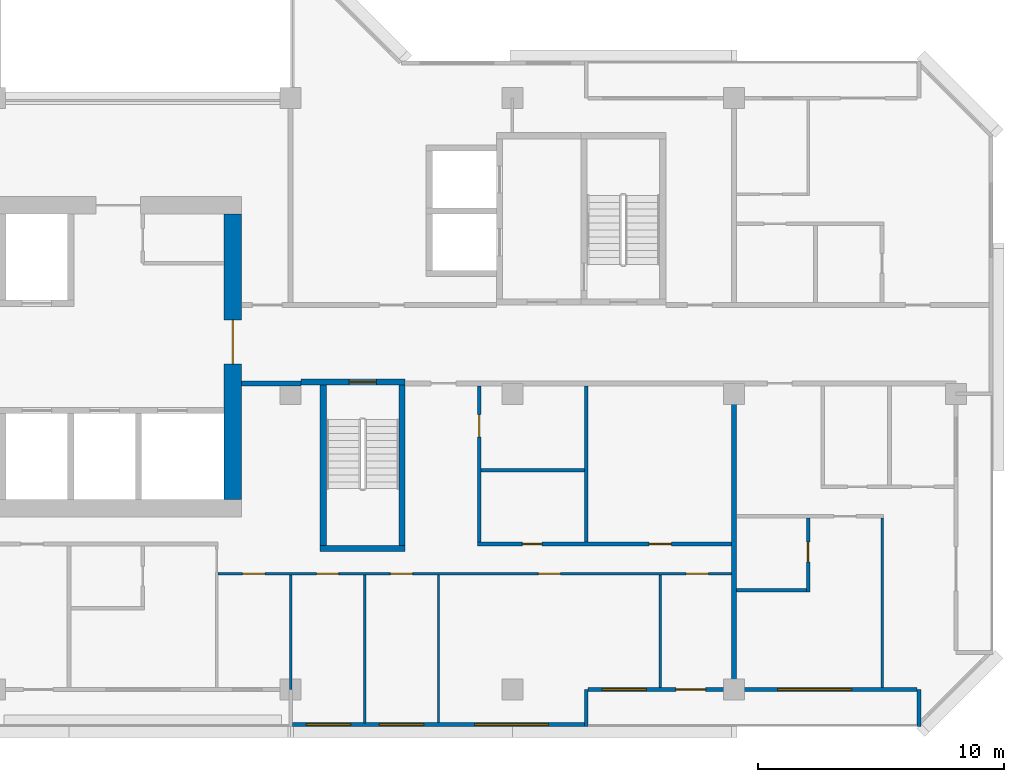
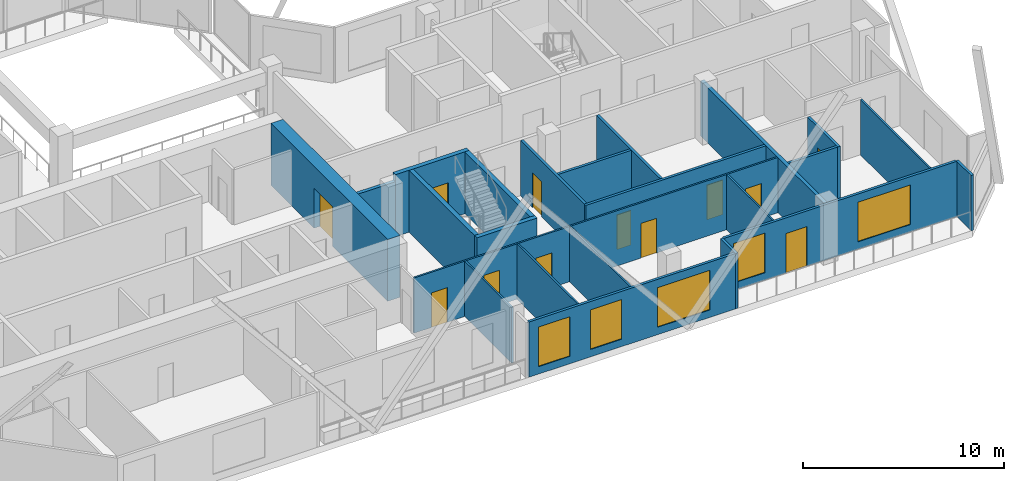
# One storey, part 6 of 14: 23 walls, 12 doors, 5 windows, 17 openings.
"""IFC4 building model written with IfcOpenShell, lengths in metres."""

from ifc_helpers import new_model, si_unit, direction, frame, frame_2d, origin, place, context, subcontext, project, spatial, rectangle, extrude, material, layer, layer_set, type_object, element, fill, save


model = new_model("IFC4")

# Units and contexts
model_context = context("Model", 3, precision=1e-05, world=origin(), true_north=direction((0.0, 1.0)))
body_context = subcontext(model_context, "Body", "Model", "MODEL_VIEW")
ifc_project = project(units=[si_unit("LENGTHUNIT", "METRE"), si_unit("AREAUNIT", "SQUARE_METRE"), si_unit("VOLUMEUNIT", "CUBIC_METRE"), si_unit("PLANEANGLEUNIT", "RADIAN"), si_unit("MASSUNIT", "GRAM", prefix="KILO")], contexts=[model_context])

# Site, building, storey
site_placement = place(None, origin())
site = spatial("IfcSite", under=ifc_project, at=site_placement, CompositionType="ELEMENT")
building_placement = place(site_placement, origin())
building = spatial("IfcBuilding", under=site, at=building_placement, Name="Chenar Terraces", CompositionType="ELEMENT")
storey_placement = place(building_placement, frame((0.0, 0.0, 234.14990234375)))
storey = spatial("IfcBuildingStorey", under=building, at=storey_placement, Name="L55", CompositionType="ELEMENT", Elevation=234.14990234375)

# Wall
ifc_material_1 = material(Name="Concrete C60/75", Category="concrete")
ifc_layer_1 = layer(ifc_material_1, 0.25)
ifc_layer_set_1 = layer_set([ifc_layer_1], Name="Concrete C60/75")
wall_type_1 = type_object("IfcWallType", Name="Core wall 250 Concrete C60/75", PredefinedType="SHEAR", material=ifc_layer_set_1)
wall_1_placement = place(storey_placement, frame((37.199951171875, 5.72509765625, 0.0), z_axis=(0.0, 0.0, 1.0), x_axis=(1.0, 0.0, 0.0)))
element("IfcWall", 1, at=wall_1_placement, inside=storey, type_object=wall_type_1, Name="Core wall ST2_S L55", PredefinedType="SHEAR", context=body_context, shape_type="SweptSolid", body=[
    extrude(rectangle(XDim=3.449951171875, YDim=0.25, at=frame_2d((1.72509765625, 0.0))), origin(), (0.0, 0.0, 1.0), 3.75),
])

# Wall, opening, door
wall_2_placement = place(storey_placement, frame((36.425048828125, 12.47509765625, 0.0), z_axis=(0.0, 0.0, 1.0), x_axis=(1.0, 0.0, 0.0)))
wall_2 = element("IfcWall", 2, at=wall_2_placement, inside=storey, type_object=wall_type_1, Name="Core wall ST2_N L55", PredefinedType="SHEAR", context=body_context, shape_type="SweptSolid", body=[
    extrude(rectangle(XDim=4.224853515625, YDim=0.25, at=frame_2d((2.1123046875, 0.0))), origin(), (0.0, 0.0, 1.0), 3.75),
])
opening_1_placement = place(wall_2_placement, frame((1.949951171875, 0.0, 0.0)))
opening_1 = element("IfcOpeningElement", 3, at=opening_1_placement, cuts=wall_2, Name="Opening DL55-C7", PredefinedType="OPENING", context=body_context, shape_type="SweptSolid", body=[
    extrude(rectangle(XDim=1.10009765625, YDim=2.199951171875, at=frame_2d((0.550048828125, 1.10009765625))), frame((0.0, 0.135009765625, 0.0), z_axis=(0.0, -1.0, 0.0), x_axis=(1.0, 0.0, 0.0)), (0.0, 0.0, 1.0), 0.27001953125),
])
ifc_material_2 = material(Name="Steel-framed fire-resisting door leaf", Category="steel")
door_type_1 = type_object("IfcDoorType", Name="Stair fire door FD60 1100 x 2200", OperationType="SINGLE_SWING_LEFT", PredefinedType="DOOR", material=ifc_material_2)
door_1_placement = place(opening_1_placement, frame((1.10009765625, 0.0, 0.0), z_axis=(0.0, 0.0, 1.0), x_axis=(-1.0, 0.0, 0.0)))
door_1 = element("IfcDoor", 4, at=door_1_placement, inside=storey, type_object=door_type_1, Name="Stair door DL55-C7", OperationType="SINGLE_SWING_LEFT", OverallHeight=2.199951171875, OverallWidth=1.10009765625, PredefinedType="DOOR", context=body_context, shape_type="SweptSolid", body=[
    extrude(rectangle(XDim=1.10009765625, YDim=2.199951171875, at=frame_2d((0.550048828125, 1.10009765625))), frame((0.0, 0.02490234375, 0.0), z_axis=(0.0, -1.0, 0.0), x_axis=(1.0, 0.0, 0.0)), (0.0, 0.0, 1.0), 0.050048828125),
])
fill(opening_1, door_1)

# Walls
for number, where, z_axis, x_axis, name in (
    (5, (37.324951171875, 5.85009765625, 0.0), (0.0, 0.0, 1.0), (0.0, 1.0, 0.0), "Core wall ST2_W L55"),
    (6, (40.52490234375, 5.85009765625, 0.0), (0.0, 0.0, 1.0), (0.0, 1.0, 0.0), "Core wall ST2_E L55"),
):
    element("IfcWall", number, at=place(storey_placement, frame(where, z_axis=z_axis, x_axis=x_axis)), inside=storey, type_object=wall_type_1, Name=name, PredefinedType="SHEAR", context=body_context, shape_type="SweptSolid", body=[
        extrude(rectangle(XDim=6.5, YDim=0.25, at=frame_2d((3.25, 0.0))), origin(), (0.0, 0.0, 1.0), 3.75),
    ])

# Wall, opening, door
ifc_material_3 = material(Name="Concrete C60/75", Category="concrete")
ifc_layer_2 = layer(ifc_material_3, 0.699951171875)
ifc_layer_set_2 = layer_set([ifc_layer_2], Name="Concrete C60/75")
wall_type_2 = type_object("IfcWallType", Name="Core wall 700 Concrete C60/75", PredefinedType="SHEAR", material=ifc_layer_set_2)
wall_3_placement = place(storey_placement, frame((33.64990234375, 7.699951171875, 0.0), z_axis=(0.0, 0.0, 1.0), x_axis=(0.0, 1.0, 0.0)))
wall_3 = element("IfcWall", 7, at=wall_3_placement, inside=storey, type_object=wall_type_2, Name="Core wall E L55", PredefinedType="SHEAR", context=body_context, shape_type="SweptSolid", body=[
    extrude(rectangle(XDim=11.60009765625, YDim=0.699951171875, at=frame_2d((5.800048828125, 0.0))), origin(), (0.0, 0.0, 1.0), 3.75),
])
opening_2_placement = place(wall_3_placement, frame((5.5, 0.0, 0.0)))
opening_2 = element("IfcOpeningElement", 8, at=opening_2_placement, cuts=wall_3, Name="Opening DL55-C1", PredefinedType="OPENING", context=body_context, shape_type="SweptSolid", body=[
    extrude(rectangle(XDim=1.800048828125, YDim=2.39990234375, at=frame_2d((0.89990234375, 1.199951171875))), frame((0.0, 0.35986328125, 0.0), z_axis=(0.0, -1.0, 0.0), x_axis=(1.0, 0.0, 0.0)), (0.0, 0.0, 1.0), 0.719970703125),
])
ifc_material_4 = material(Name="Steel-framed fire-resisting door leaf", Category="steel")
door_type_2 = type_object("IfcDoorType", Name="Core entrance double fire door FD60 1800 x 2400", OperationType="DOUBLE_DOOR_SINGLE_SWING", PredefinedType="DOOR", material=ifc_material_4)
door_2_placement = place(opening_2_placement, origin())
door_2 = element("IfcDoor", 9, at=door_2_placement, inside=storey, type_object=door_type_2, Name="Core door DL55-C1", OperationType="DOUBLE_DOOR_SINGLE_SWING", OverallHeight=2.39990234375, OverallWidth=1.800048828125, PredefinedType="DOOR", context=body_context, shape_type="SweptSolid", body=[
    extrude(rectangle(XDim=1.800048828125, YDim=2.39990234375, at=frame_2d((0.89990234375, 1.199951171875))), frame((0.0, 0.02490234375, 0.0), z_axis=(0.0, -1.0, 0.0), x_axis=(1.0, 0.0, 0.0)), (0.0, 0.0, 1.0), 0.050048828125),
])
fill(opening_2, door_2)

# Wall
ifc_material_5 = material(Name="Gypsum board on steel studs with fire boards", Category="steel")
ifc_layer_3 = layer(ifc_material_5, 0.199951171875)
ifc_layer_set_3 = layer_set([ifc_layer_3], Name="Gypsum board on steel studs with fire boards")
wall_type_3 = type_object("IfcWallType", Name="Corridor wall 200", PredefinedType="PARTITIONING", material=ifc_layer_set_3)
wall_4_placement = place(storey_placement, frame((34.0, 12.425048828125, 0.0), z_axis=(0.0, 0.0, 1.0), x_axis=(1.0, 0.0, 0.0)))
element("IfcWall", 10, at=wall_4_placement, inside=storey, type_object=wall_type_3, Name="Partition L55-065", PredefinedType="PARTITIONING", context=body_context, shape_type="SweptSolid", body=[
    extrude(rectangle(XDim=2.426025390625, YDim=0.199951171875, at=frame_2d((1.212890625, 0.0))), origin(), (0.0, 0.0, 1.0), 3.35009765625),
])

# Wall, openings, windows
ifc_material_6 = material(Name="Aluminium framed glazing", Category="aluminium")
ifc_layer_4 = layer(ifc_material_6, 0.14990234375)
ifc_layer_set_4 = layer_set([ifc_layer_4], Name="Aluminium framed glazing")
wall_type_4 = type_object("IfcWallType", Name="Glazed flush facade wall 150", PredefinedType="SOLIDWALL", material=ifc_layer_set_4)
wall_5_placement = place(storey_placement, frame((36.074951171875, -1.425048828125, 0.0), z_axis=(0.0, 0.0, 1.0), x_axis=(1.0, 0.0, 0.0)))
wall_5 = element("IfcWall", 11, at=wall_5_placement, inside=storey, type_object=wall_type_4, Name="Glazed flush facade wall", PredefinedType="SOLIDWALL", context=body_context, shape_type="SweptSolid", body=[
    extrude(rectangle(XDim=11.85009765625, YDim=0.14990234375, at=frame_2d((5.925048828125, 0.0))), origin(), (0.0, 0.0, 1.0), 3.35009765625),
])
opening_3_placement = place(wall_5_placement, frame((0.5625, 0.0, 0.449951171875)))
opening_3 = element("IfcOpeningElement", 12, at=opening_3_placement, cuts=wall_5, Name="Opening W180x240", PredefinedType="OPENING", context=body_context, shape_type="SweptSolid", body=[
    extrude(rectangle(XDim=1.800048828125, YDim=2.39990234375, at=frame_2d((0.89990234375, 1.199951171875))), frame((0.0, 0.0849609375, 0.0), z_axis=(0.0, -1.0, 0.0), x_axis=(1.0, 0.0, 0.0)), (0.0, 0.0, 1.0), 0.169921875),
])
opening_4_placement = place(wall_5_placement, frame((3.52490234375, 0.0, 0.449951171875)))
opening_4 = element("IfcOpeningElement", 13, at=opening_4_placement, cuts=wall_5, Name="Opening W180x240", PredefinedType="OPENING", context=body_context, shape_type="SweptSolid", body=[
    extrude(rectangle(XDim=1.800048828125, YDim=2.39990234375, at=frame_2d((0.89990234375, 1.199951171875))), frame((0.0, 0.0849609375, 0.0), z_axis=(0.0, -1.0, 0.0), x_axis=(1.0, 0.0, 0.0)), (0.0, 0.0, 1.0), 0.169921875),
])
opening_5_placement = place(wall_5_placement, frame((7.387451171875, 0.0, 0.449951171875)))
opening_5 = element("IfcOpeningElement", 14, at=opening_5_placement, cuts=wall_5, Name="Opening W300x240", PredefinedType="OPENING", context=body_context, shape_type="SweptSolid", body=[
    extrude(rectangle(XDim=3.0, YDim=2.39990234375, at=frame_2d((1.5, 1.199951171875))), frame((0.0, 0.0849609375, 0.0), z_axis=(0.0, -1.0, 0.0), x_axis=(1.0, 0.0, 0.0)), (0.0, 0.0, 1.0), 0.169921875),
])
ifc_material_7 = material(Name="Low emissivity double glazing, aluminium frame", Category="aluminium")
window_type_1 = type_object("IfcWindowType", Name="Fixed light 1800 x 2400", PartitioningType="SINGLE_PANEL", PredefinedType="WINDOW", material=ifc_material_7)
window_1_placement = place(opening_3_placement, origin())
window_1 = element("IfcWindow", 15, at=window_1_placement, inside=storey, type_object=window_type_1, Name="Window", OverallHeight=2.39990234375, OverallWidth=1.800048828125, PartitioningType="SINGLE_PANEL", PredefinedType="WINDOW", context=body_context, shape_type="SweptSolid", body=[
    extrude(rectangle(XDim=1.800048828125, YDim=2.39990234375, at=frame_2d((0.89990234375, 1.199951171875))), frame((0.0, 0.030029296875, 0.0), z_axis=(0.0, -1.0, 0.0), x_axis=(1.0, 0.0, 0.0)), (0.0, 0.0, 1.0), 0.06005859375),
])
fill(opening_3, window_1)
window_2_placement = place(opening_4_placement, origin())
window_2 = element("IfcWindow", 16, at=window_2_placement, inside=storey, type_object=window_type_1, Name="Window", OverallHeight=2.39990234375, OverallWidth=1.800048828125, PartitioningType="SINGLE_PANEL", PredefinedType="WINDOW", context=body_context, shape_type="SweptSolid", body=[
    extrude(rectangle(XDim=1.800048828125, YDim=2.39990234375, at=frame_2d((0.89990234375, 1.199951171875))), frame((0.0, 0.030029296875, 0.0), z_axis=(0.0, -1.0, 0.0), x_axis=(1.0, 0.0, 0.0)), (0.0, 0.0, 1.0), 0.06005859375),
])
fill(opening_4, window_2)
ifc_material_8 = material(Name="Low emissivity double glazing, aluminium frame", Category="aluminium")
window_type_2 = type_object("IfcWindowType", Name="Fixed light 3000 x 2400", PartitioningType="SINGLE_PANEL", PredefinedType="WINDOW", material=ifc_material_8)
window_3_placement = place(opening_5_placement, origin())
window_3 = element("IfcWindow", 17, at=window_3_placement, inside=storey, type_object=window_type_2, Name="Window", OverallHeight=2.39990234375, OverallWidth=3.0, PartitioningType="SINGLE_PANEL", PredefinedType="WINDOW", context=body_context, shape_type="SweptSolid", body=[
    extrude(rectangle(XDim=3.0, YDim=2.39990234375, at=frame_2d((1.5, 1.199951171875))), frame((0.0, 0.030029296875, 0.0), z_axis=(0.0, -1.0, 0.0), x_axis=(1.0, 0.0, 0.0)), (0.0, 0.0, 1.0), 0.06005859375),
])
fill(opening_5, window_3)

# Wall, openings, windows, door
ifc_material_9 = material(Name="Aluminium framed glazing", Category="aluminium")
ifc_layer_5 = layer(ifc_material_9, 0.14990234375)
ifc_layer_set_5 = layer_set([ifc_layer_5], Name="Aluminium framed glazing")
wall_type_5 = type_object("IfcWallType", Name="Glazed loggia back wall 150", PredefinedType="SOLIDWALL", material=ifc_layer_set_5)
wall_6_placement = place(storey_placement, frame((48.074951171875, 0.0, 0.0), z_axis=(0.0, 0.0, 1.0), x_axis=(1.0, 0.0, 0.0)))
wall_6 = element("IfcWall", 18, at=wall_6_placement, inside=storey, type_object=wall_type_5, Name="Glazed loggia back wall", PredefinedType="SOLIDWALL", context=body_context, shape_type="SweptSolid", body=[
    extrude(rectangle(XDim=13.35009765625, YDim=0.14990234375, at=frame_2d((6.675048828125, 0.0))), origin(), (0.0, 0.0, 1.0), 3.35009765625),
])
opening_6_placement = place(wall_6_placement, frame((0.5625, 0.0, 0.449951171875)))
opening_6 = element("IfcOpeningElement", 19, at=opening_6_placement, cuts=wall_6, Name="Opening W180x240", PredefinedType="OPENING", context=body_context, shape_type="SweptSolid", body=[
    extrude(rectangle(XDim=1.800048828125, YDim=2.39990234375, at=frame_2d((0.89990234375, 1.199951171875))), frame((0.0, 0.0849609375, 0.0), z_axis=(0.0, -1.0, 0.0), x_axis=(1.0, 0.0, 0.0)), (0.0, 0.0, 1.0), 0.169921875),
])
opening_7_placement = place(wall_6_placement, frame((3.5625, 0.0, 0.0)))
opening_7 = element("IfcOpeningElement", 20, at=opening_7_placement, cuts=wall_6, Name="Opening DL55-G7", PredefinedType="OPENING", context=body_context, shape_type="SweptSolid", body=[
    extrude(rectangle(XDim=1.199951171875, YDim=2.39990234375, at=frame_2d((0.60009765625, 1.199951171875))), frame((0.0, 0.0849609375, 0.0), z_axis=(0.0, -1.0, 0.0), x_axis=(1.0, 0.0, 0.0)), (0.0, 0.0, 1.0), 0.169921875),
])
opening_8_placement = place(wall_6_placement, frame((7.6875, 0.0, 0.449951171875)))
opening_8 = element("IfcOpeningElement", 21, at=opening_8_placement, cuts=wall_6, Name="Opening W300x240", PredefinedType="OPENING", context=body_context, shape_type="SweptSolid", body=[
    extrude(rectangle(XDim=3.0, YDim=2.39990234375, at=frame_2d((1.5, 1.199951171875))), frame((0.0, 0.0849609375, 0.0), z_axis=(0.0, -1.0, 0.0), x_axis=(1.0, 0.0, 0.0)), (0.0, 0.0, 1.0), 0.169921875),
])
window_4_placement = place(opening_6_placement, origin())
window_4 = element("IfcWindow", 22, at=window_4_placement, inside=storey, type_object=window_type_1, Name="Window", OverallHeight=2.39990234375, OverallWidth=1.800048828125, PartitioningType="SINGLE_PANEL", PredefinedType="WINDOW", context=body_context, shape_type="SweptSolid", body=[
    extrude(rectangle(XDim=1.800048828125, YDim=2.39990234375, at=frame_2d((0.89990234375, 1.199951171875))), frame((0.0, 0.030029296875, 0.0), z_axis=(0.0, -1.0, 0.0), x_axis=(1.0, 0.0, 0.0)), (0.0, 0.0, 1.0), 0.06005859375),
])
fill(opening_6, window_4)
window_5_placement = place(opening_8_placement, origin())
window_5 = element("IfcWindow", 23, at=window_5_placement, inside=storey, type_object=window_type_2, Name="Window", OverallHeight=2.39990234375, OverallWidth=3.0, PartitioningType="SINGLE_PANEL", PredefinedType="WINDOW", context=body_context, shape_type="SweptSolid", body=[
    extrude(rectangle(XDim=3.0, YDim=2.39990234375, at=frame_2d((1.5, 1.199951171875))), frame((0.0, 0.030029296875, 0.0), z_axis=(0.0, -1.0, 0.0), x_axis=(1.0, 0.0, 0.0)), (0.0, 0.0, 1.0), 0.06005859375),
])
fill(opening_8, window_5)
ifc_material_10 = material(Name="Low emissivity double glazing, aluminium frame", Category="aluminium")
door_type_3 = type_object("IfcDoorType", Name="Loggia glazed double door 1200 x 2400", OperationType="DOUBLE_DOOR_SINGLE_SWING", PredefinedType="DOOR", material=ifc_material_10)
door_3_placement = place(opening_7_placement, frame((1.199951171875, 0.0, 0.0), z_axis=(0.0, 0.0, 1.0), x_axis=(-1.0, 0.0, 0.0)))
door_3 = element("IfcDoor", 24, at=door_3_placement, inside=storey, type_object=door_type_3, Name="Loggia glazed door", OperationType="DOUBLE_DOOR_SINGLE_SWING", OverallHeight=2.39990234375, OverallWidth=1.199951171875, PredefinedType="DOOR", context=body_context, shape_type="SweptSolid", body=[
    extrude(rectangle(XDim=1.199951171875, YDim=2.39990234375, at=frame_2d((0.60009765625, 1.199951171875))), frame((0.0, 0.02490234375, 0.0), z_axis=(0.0, -1.0, 0.0), x_axis=(1.0, 0.0, 0.0)), (0.0, 0.0, 1.0), 0.050048828125),
])
fill(opening_7, door_3)

# Wall, openings, doors
ifc_material_11 = material(Name="Gypsum board on steel studs", Category="steel")
ifc_layer_6 = layer(ifc_material_11, 0.10009765625)
ifc_layer_set_6 = layer_set([ifc_layer_6], Name="Gypsum board on steel studs")
wall_type_6 = type_object("IfcWallType", Name="Gypsum partition 100", PredefinedType="PARTITIONING", material=ifc_layer_set_6)
wall_7_placement = place(storey_placement, frame((33.050048828125, 4.699951171875, 0.0), z_axis=(0.0, 0.0, 1.0), x_axis=(1.0, 0.0, 0.0)))
wall_7 = element("IfcWall", 25, at=wall_7_placement, inside=storey, type_object=wall_type_6, Name="Partition L55-064", PredefinedType="PARTITIONING", context=body_context, shape_type="SweptSolid", body=[
    extrude(rectangle(XDim=20.849853515625, YDim=0.10009765625, at=frame_2d((10.4248046875, 0.0))), origin(), (0.0, 0.0, 1.0), 3.35009765625),
])
opening_9_placement = place(wall_7_placement, frame((1.0, 0.0, 0.0)))
opening_9 = element("IfcOpeningElement", 26, at=opening_9_placement, cuts=wall_7, Name="Opening DL55-45", PredefinedType="OPENING", context=body_context, shape_type="SweptSolid", body=[
    extrude(rectangle(XDim=0.89990234375, YDim=2.10009765625, at=frame_2d((0.449951171875, 1.050048828125))), frame((0.0, 0.06005859375, 0.0), z_axis=(0.0, -1.0, 0.0), x_axis=(1.0, 0.0, 0.0)), (0.0, 0.0, 1.0), 0.1201171875),
])
opening_10_placement = place(wall_7_placement, frame((4.0, 0.0, 0.0)))
opening_10 = element("IfcOpeningElement", 27, at=opening_10_placement, cuts=wall_7, Name="Opening DL55-46", PredefinedType="OPENING", context=body_context, shape_type="SweptSolid", body=[
    extrude(rectangle(XDim=0.89990234375, YDim=2.10009765625, at=frame_2d((0.449951171875, 1.050048828125))), frame((0.0, 0.06005859375, 0.0), z_axis=(0.0, -1.0, 0.0), x_axis=(1.0, 0.0, 0.0)), (0.0, 0.0, 1.0), 0.1201171875),
])
opening_11_placement = place(wall_7_placement, frame((7.0, 0.0, 0.0)))
opening_11 = element("IfcOpeningElement", 28, at=opening_11_placement, cuts=wall_7, Name="Opening DL55-47", PredefinedType="OPENING", context=body_context, shape_type="SweptSolid", body=[
    extrude(rectangle(XDim=0.89990234375, YDim=2.10009765625, at=frame_2d((0.449951171875, 1.050048828125))), frame((0.0, 0.06005859375, 0.0), z_axis=(0.0, -1.0, 0.0), x_axis=(1.0, 0.0, 0.0)), (0.0, 0.0, 1.0), 0.1201171875),
])
opening_12_placement = place(wall_7_placement, frame((19.0, 0.0, 0.0)))
opening_12 = element("IfcOpeningElement", 29, at=opening_12_placement, cuts=wall_7, Name="Opening DL55-48", PredefinedType="OPENING", context=body_context, shape_type="SweptSolid", body=[
    extrude(rectangle(XDim=0.89990234375, YDim=2.10009765625, at=frame_2d((0.449951171875, 1.050048828125))), frame((0.0, 0.06005859375, 0.0), z_axis=(0.0, -1.0, 0.0), x_axis=(1.0, 0.0, 0.0)), (0.0, 0.0, 1.0), 0.1201171875),
])
opening_13_placement = place(wall_7_placement, frame((13.0, 0.0, 0.0)))
opening_13 = element("IfcOpeningElement", 30, at=opening_13_placement, cuts=wall_7, Name="Opening DL55-56", PredefinedType="OPENING", context=body_context, shape_type="SweptSolid", body=[
    extrude(rectangle(XDim=0.89990234375, YDim=2.10009765625, at=frame_2d((0.449951171875, 1.050048828125))), frame((0.0, 0.06005859375, 0.0), z_axis=(0.0, -1.0, 0.0), x_axis=(1.0, 0.0, 0.0)), (0.0, 0.0, 1.0), 0.1201171875),
])
ifc_material_12 = material(Name="Veneered timber door leaf", Category="wood")
door_type_4 = type_object("IfcDoorType", Name="Door 900 x 2100", OperationType="SINGLE_SWING_LEFT", PredefinedType="DOOR", material=ifc_material_12)
door_4_placement = place(opening_9_placement, frame((0.89990234375, 0.0, 0.0), z_axis=(0.0, 0.0, 1.0), x_axis=(-1.0, 0.0, 0.0)))
door_4 = element("IfcDoor", 31, at=door_4_placement, inside=storey, type_object=door_type_4, Name="Door DL55-45", OperationType="SINGLE_SWING_LEFT", OverallHeight=2.10009765625, OverallWidth=0.89990234375, PredefinedType="DOOR", context=body_context, shape_type="SweptSolid", body=[
    extrude(rectangle(XDim=0.89990234375, YDim=2.10009765625, at=frame_2d((0.449951171875, 1.050048828125))), frame((0.0, 0.02490234375, 0.0), z_axis=(0.0, -1.0, 0.0), x_axis=(1.0, 0.0, 0.0)), (0.0, 0.0, 1.0), 0.050048828125),
])
fill(opening_9, door_4)
door_5_placement = place(opening_10_placement, frame((0.89990234375, 0.0, 0.0), z_axis=(0.0, 0.0, 1.0), x_axis=(-1.0, 0.0, 0.0)))
door_5 = element("IfcDoor", 32, at=door_5_placement, inside=storey, type_object=door_type_4, Name="Door DL55-46", OperationType="SINGLE_SWING_LEFT", OverallHeight=2.10009765625, OverallWidth=0.89990234375, PredefinedType="DOOR", context=body_context, shape_type="SweptSolid", body=[
    extrude(rectangle(XDim=0.89990234375, YDim=2.10009765625, at=frame_2d((0.449951171875, 1.050048828125))), frame((0.0, 0.02490234375, 0.0), z_axis=(0.0, -1.0, 0.0), x_axis=(1.0, 0.0, 0.0)), (0.0, 0.0, 1.0), 0.050048828125),
])
fill(opening_10, door_5)
door_6_placement = place(opening_11_placement, frame((0.89990234375, 0.0, 0.0), z_axis=(0.0, 0.0, 1.0), x_axis=(-1.0, 0.0, 0.0)))
door_6 = element("IfcDoor", 33, at=door_6_placement, inside=storey, type_object=door_type_4, Name="Door DL55-47", OperationType="SINGLE_SWING_LEFT", OverallHeight=2.10009765625, OverallWidth=0.89990234375, PredefinedType="DOOR", context=body_context, shape_type="SweptSolid", body=[
    extrude(rectangle(XDim=0.89990234375, YDim=2.10009765625, at=frame_2d((0.449951171875, 1.050048828125))), frame((0.0, 0.02490234375, 0.0), z_axis=(0.0, -1.0, 0.0), x_axis=(1.0, 0.0, 0.0)), (0.0, 0.0, 1.0), 0.050048828125),
])
fill(opening_11, door_6)
door_7_placement = place(opening_12_placement, frame((0.89990234375, 0.0, 0.0), z_axis=(0.0, 0.0, 1.0), x_axis=(-1.0, 0.0, 0.0)))
door_7 = element("IfcDoor", 34, at=door_7_placement, inside=storey, type_object=door_type_4, Name="Door DL55-48", OperationType="SINGLE_SWING_LEFT", OverallHeight=2.10009765625, OverallWidth=0.89990234375, PredefinedType="DOOR", context=body_context, shape_type="SweptSolid", body=[
    extrude(rectangle(XDim=0.89990234375, YDim=2.10009765625, at=frame_2d((0.449951171875, 1.050048828125))), frame((0.0, 0.02490234375, 0.0), z_axis=(0.0, -1.0, 0.0), x_axis=(1.0, 0.0, 0.0)), (0.0, 0.0, 1.0), 0.050048828125),
])
fill(opening_12, door_7)
door_8_placement = place(opening_13_placement, frame((0.89990234375, 0.0, 0.0), z_axis=(0.0, 0.0, 1.0), x_axis=(-1.0, 0.0, 0.0)))
door_8 = element("IfcDoor", 35, at=door_8_placement, inside=storey, type_object=door_type_4, Name="Door DL55-56", OperationType="SINGLE_SWING_LEFT", OverallHeight=2.10009765625, OverallWidth=0.89990234375, PredefinedType="DOOR", context=body_context, shape_type="SweptSolid", body=[
    extrude(rectangle(XDim=0.89990234375, YDim=2.10009765625, at=frame_2d((0.449951171875, 1.050048828125))), frame((0.0, 0.02490234375, 0.0), z_axis=(0.0, -1.0, 0.0), x_axis=(1.0, 0.0, 0.0)), (0.0, 0.0, 1.0), 0.050048828125),
])
fill(opening_13, door_8)

# Walls
wall_8_placement = place(storey_placement, frame((36.0, 0.0, 0.0), z_axis=(0.0, 0.0, 1.0), x_axis=(0.0, 1.0, 0.0)))
element("IfcWall", 36, at=wall_8_placement, inside=storey, type_object=wall_type_6, Name="Partition L55-067", PredefinedType="PARTITIONING", context=body_context, shape_type="SweptSolid", body=[
    extrude(rectangle(XDim=4.64990234375, YDim=0.10009765625, at=frame_2d((2.324951171875, 0.0))), origin(), (0.0, 0.0, 1.0), 3.35009765625),
])
wall_9_placement = place(storey_placement, frame((39.0, -1.35107421875, 0.0), z_axis=(0.0, 0.0, 1.0), x_axis=(0.0, 1.0, 0.0)))
element("IfcWall", 37, at=wall_9_placement, inside=storey, type_object=wall_type_6, Name="Partition L55-069", PredefinedType="PARTITIONING", context=body_context, shape_type="SweptSolid", body=[
    extrude(rectangle(XDim=6.0009765625, YDim=0.10009765625, at=frame_2d((3.00048828125, 0.0))), origin(), (0.0, 0.0, 1.0), 3.35009765625),
])
wall_10_placement = place(storey_placement, frame((42.0, -1.35009765625, 0.0), z_axis=(0.0, 0.0, 1.0), x_axis=(0.0, 1.0, 0.0)))
element("IfcWall", 38, at=wall_10_placement, inside=storey, type_object=wall_type_6, Name="Partition L55-071", PredefinedType="PARTITIONING", context=body_context, shape_type="SweptSolid", body=[
    extrude(rectangle(XDim=6.0, YDim=0.10009765625, at=frame_2d((3.0, 0.0))), origin(), (0.0, 0.0, 1.0), 3.35009765625),
])
wall_11_placement = place(storey_placement, frame((51.0, 0.073974609375, 0.0), z_axis=(0.0, 0.0, 1.0), x_axis=(0.0, 1.0, 0.0)))
element("IfcWall", 39, at=wall_11_placement, inside=storey, type_object=wall_type_6, Name="Partition L55-077", PredefinedType="PARTITIONING", context=body_context, shape_type="SweptSolid", body=[
    extrude(rectangle(XDim=4.575927734375, YDim=0.10009765625, at=frame_2d((2.2880859375, 0.0))), origin(), (0.0, 0.0, 1.0), 3.35009765625),
])
wall_12_placement = place(storey_placement, frame((60.0, 0.073974609375, 0.0), z_axis=(0.0, 0.0, 1.0), x_axis=(0.0, 1.0, 0.0)))
element("IfcWall", 40, at=wall_12_placement, inside=storey, type_object=wall_type_6, Name="Partition L55-090", PredefinedType="PARTITIONING", context=body_context, shape_type="SweptSolid", body=[
    extrude(rectangle(XDim=6.8759765625, YDim=0.10009765625, at=frame_2d((3.43798828125, 0.0))), origin(), (0.0, 0.0, 1.0), 3.35009765625),
])
ifc_material_13 = material(Name="Terracotta cladding on insulated backing", Category="masonry")
ifc_layer_7 = layer(ifc_material_13, 0.14990234375)
ifc_layer_set_7 = layer_set([ifc_layer_7], Name="Terracotta cladding on insulated backing")
wall_type_7 = type_object("IfcWallType", Name="Loggia return wall 150", PredefinedType="SOLIDWALL", material=ifc_layer_set_7)
for number, where, z_axis, x_axis, name in (
    (41, (48.0, -1.5, 0.0), (0.0, 0.0, 1.0), (0.0, 1.0, 0.0), "Loggia return wall"),
    (42, (61.5, -1.5, 0.0), (0.0, 0.0, 1.0), (0.0, 1.0, 0.0), "Loggia return wall"),
):
    element("IfcWall", number, at=place(storey_placement, frame(where, z_axis=z_axis, x_axis=x_axis)), inside=storey, type_object=wall_type_7, Name=name, PredefinedType="SOLIDWALL", context=body_context, shape_type="SweptSolid", body=[
        extrude(rectangle(XDim=1.5, YDim=0.14990234375, at=frame_2d((0.75, 0.0))), origin(), (0.0, 0.0, 1.0), 3.35009765625),
    ])
ifc_material_14 = material(Name="Twin gypsum board on steel studs with mineral wool", Category="steel")
ifc_layer_8 = layer(ifc_material_14, 0.199951171875)
ifc_layer_set_8 = layer_set([ifc_layer_8], Name="Twin gypsum board on steel studs with mineral wool")
wall_type_8 = type_object("IfcWallType", Name="Unit demising wall 200", PredefinedType="PARTITIONING", material=ifc_layer_set_8)
wall_13_placement = place(storey_placement, frame((54.0, 0.073974609375, 0.0), z_axis=(0.0, 0.0, 1.0), x_axis=(0.0, 1.0, 0.0)))
element("IfcWall", 43, at=wall_13_placement, inside=storey, type_object=wall_type_8, Name="Partition L55-079", PredefinedType="PARTITIONING", context=body_context, shape_type="SweptSolid", body=[
    extrude(rectangle(XDim=12.2509765625, YDim=0.199951171875, at=frame_2d((6.12548828125, 0.0))), origin(), (0.0, 0.0, 1.0), 3.35009765625),
])

# Wall, openings, doors
ifc_material_15 = material(Name="Moisture-resistant gypsum board on steel studs", Category="steel")
ifc_layer_9 = layer(ifc_material_15, 0.14990234375)
ifc_layer_set_9 = layer_set([ifc_layer_9], Name="Moisture-resistant gypsum board on steel studs")
wall_type_9 = type_object("IfcWallType", Name="Wet-room partition 150", PredefinedType="PARTITIONING", material=ifc_layer_set_9)
wall_14_placement = place(storey_placement, frame((43.574951171875, 5.89990234375, 0.0), z_axis=(0.0, 0.0, 1.0), x_axis=(1.0, 0.0, 0.0)))
wall_14 = element("IfcWall", 44, at=wall_14_placement, inside=storey, type_object=wall_type_9, Name="Partition L55-072", PredefinedType="PARTITIONING", context=body_context, shape_type="SweptSolid", body=[
    extrude(rectangle(XDim=10.324951171875, YDim=0.14990234375, at=frame_2d((5.16259765625, 0.0))), origin(), (0.0, 0.0, 1.0), 3.35009765625),
])
opening_14_placement = place(wall_14_placement, frame((1.824951171875, 0.0, 0.0)))
opening_14 = element("IfcOpeningElement", 45, at=opening_14_placement, cuts=wall_14, Name="Opening DL55-42", PredefinedType="OPENING", context=body_context, shape_type="SweptSolid", body=[
    extrude(rectangle(XDim=0.800048828125, YDim=2.10009765625, at=frame_2d((0.39990234375, 1.050048828125))), frame((0.0, 0.0849609375, 0.0), z_axis=(0.0, -1.0, 0.0), x_axis=(1.0, 0.0, 0.0)), (0.0, 0.0, 1.0), 0.169921875),
])
opening_15_placement = place(wall_14_placement, frame((6.97509765625, 0.0, 0.0)))
opening_15 = element("IfcOpeningElement", 46, at=opening_15_placement, cuts=wall_14, Name="Opening DL55-57", PredefinedType="OPENING", context=body_context, shape_type="SweptSolid", body=[
    extrude(rectangle(XDim=0.89990234375, YDim=2.10009765625, at=frame_2d((0.449951171875, 1.050048828125))), frame((0.0, 0.0849609375, 0.0), z_axis=(0.0, -1.0, 0.0), x_axis=(1.0, 0.0, 0.0)), (0.0, 0.0, 1.0), 0.169921875),
])
ifc_material_16 = material(Name="Veneered timber door leaf", Category="wood")
door_type_5 = type_object("IfcDoorType", Name="Door 800 x 2100", OperationType="SINGLE_SWING_LEFT", PredefinedType="DOOR", material=ifc_material_16)
door_9_placement = place(opening_14_placement, origin())
door_9 = element("IfcDoor", 47, at=door_9_placement, inside=storey, type_object=door_type_5, Name="Door DL55-42", OperationType="SINGLE_SWING_RIGHT", OverallHeight=2.10009765625, OverallWidth=0.800048828125, PredefinedType="DOOR", context=body_context, shape_type="SweptSolid", body=[
    extrude(rectangle(XDim=0.800048828125, YDim=2.10009765625, at=frame_2d((0.39990234375, 1.050048828125))), frame((0.0, 0.02490234375, 0.0), z_axis=(0.0, -1.0, 0.0), x_axis=(1.0, 0.0, 0.0)), (0.0, 0.0, 1.0), 0.050048828125),
])
fill(opening_14, door_9)
door_10_placement = place(opening_15_placement, origin())
door_10 = element("IfcDoor", 48, at=door_10_placement, inside=storey, type_object=door_type_4, Name="Door DL55-57", OperationType="SINGLE_SWING_RIGHT", OverallHeight=2.10009765625, OverallWidth=0.89990234375, PredefinedType="DOOR", context=body_context, shape_type="SweptSolid", body=[
    extrude(rectangle(XDim=0.89990234375, YDim=2.10009765625, at=frame_2d((0.449951171875, 1.050048828125))), frame((0.0, 0.02490234375, 0.0), z_axis=(0.0, -1.0, 0.0), x_axis=(1.0, 0.0, 0.0)), (0.0, 0.0, 1.0), 0.050048828125),
])
fill(opening_15, door_10)

# Wall, opening, door
wall_15_placement = place(storey_placement, frame((43.64990234375, 5.97509765625, 0.0), z_axis=(0.0, 0.0, 1.0), x_axis=(0.0, 1.0, 0.0)))
wall_15 = element("IfcWall", 49, at=wall_15_placement, inside=storey, type_object=wall_type_9, Name="Partition L55-073", PredefinedType="PARTITIONING", context=body_context, shape_type="SweptSolid", body=[
    extrude(rectangle(XDim=6.349853515625, YDim=0.14990234375, at=frame_2d((3.1748046875, 0.0))), origin(), (0.0, 0.0, 1.0), 3.35009765625),
])
opening_16_placement = place(wall_15_placement, frame((4.27490234375, 0.0, 0.0)))
opening_16 = element("IfcOpeningElement", 50, at=opening_16_placement, cuts=wall_15, Name="Opening DL55-54", PredefinedType="OPENING", context=body_context, shape_type="SweptSolid", body=[
    extrude(rectangle(XDim=0.89990234375, YDim=2.10009765625, at=frame_2d((0.449951171875, 1.050048828125))), frame((0.0, 0.0849609375, 0.0), z_axis=(0.0, -1.0, 0.0), x_axis=(1.0, 0.0, 0.0)), (0.0, 0.0, 1.0), 0.169921875),
])
door_11_placement = place(opening_16_placement, frame((0.89990234375, 0.0, 0.0), z_axis=(0.0, 0.0, 1.0), x_axis=(-1.0, 0.0, 0.0)))
door_11 = element("IfcDoor", 51, at=door_11_placement, inside=storey, type_object=door_type_4, Name="Door DL55-54", OperationType="SINGLE_SWING_LEFT", OverallHeight=2.10009765625, OverallWidth=0.89990234375, PredefinedType="DOOR", context=body_context, shape_type="SweptSolid", body=[
    extrude(rectangle(XDim=0.89990234375, YDim=2.10009765625, at=frame_2d((0.449951171875, 1.050048828125))), frame((0.0, 0.02490234375, 0.0), z_axis=(0.0, -1.0, 0.0), x_axis=(1.0, 0.0, 0.0)), (0.0, 0.0, 1.0), 0.050048828125),
])
fill(opening_16, door_11)

# Walls
wall_16_placement = place(storey_placement, frame((43.72509765625, 8.89990234375, 0.0), z_axis=(0.0, 0.0, 1.0), x_axis=(1.0, 0.0, 0.0)))
element("IfcWall", 52, at=wall_16_placement, inside=storey, type_object=wall_type_9, Name="Partition L55-074", PredefinedType="PARTITIONING", context=body_context, shape_type="SweptSolid", body=[
    extrude(rectangle(XDim=4.199951171875, YDim=0.14990234375, at=frame_2d((2.10009765625, 0.0))), origin(), (0.0, 0.0, 1.0), 3.35009765625),
])
wall_17_placement = place(storey_placement, frame((48.0, 5.97509765625, 0.0), z_axis=(0.0, 0.0, 1.0), x_axis=(0.0, 1.0, 0.0)))
element("IfcWall", 53, at=wall_17_placement, inside=storey, type_object=wall_type_9, Name="Partition L55-076", PredefinedType="PARTITIONING", context=body_context, shape_type="SweptSolid", body=[
    extrude(rectangle(XDim=6.349853515625, YDim=0.14990234375, at=frame_2d((3.1748046875, 0.0))), origin(), (0.0, 0.0, 1.0), 3.35009765625),
])
wall_18_placement = place(storey_placement, frame((54.10009765625, 4.02490234375, 0.0), z_axis=(0.0, 0.0, 1.0), x_axis=(1.0, 0.0, 0.0)))
element("IfcWall", 54, at=wall_18_placement, inside=storey, type_object=wall_type_9, Name="Partition L55-081", PredefinedType="PARTITIONING", context=body_context, shape_type="SweptSolid", body=[
    extrude(rectangle(XDim=2.824951171875, YDim=0.14990234375, at=frame_2d((1.41259765625, 0.0))), origin(), (0.0, 0.0, 1.0), 3.35009765625),
])

# Wall, opening, door
wall_19_placement = place(storey_placement, frame((57.0, 3.949951171875, 0.0), z_axis=(0.0, 0.0, 1.0), x_axis=(0.0, 1.0, 0.0)))
wall_19 = element("IfcWall", 55, at=wall_19_placement, inside=storey, type_object=wall_type_9, Name="Partition L55-085", PredefinedType="PARTITIONING", context=body_context, shape_type="SweptSolid", body=[
    extrude(rectangle(XDim=3.0, YDim=0.14990234375, at=frame_2d((1.5, 0.0))), origin(), (0.0, 0.0, 1.0), 3.35009765625),
])
opening_17_placement = place(wall_19_placement, frame((1.22509765625, 0.0, 0.0)))
opening_17 = element("IfcOpeningElement", 56, at=opening_17_placement, cuts=wall_19, Name="Opening DL55-10", PredefinedType="OPENING", context=body_context, shape_type="SweptSolid", body=[
    extrude(rectangle(XDim=0.800048828125, YDim=2.10009765625, at=frame_2d((0.39990234375, 1.050048828125))), frame((0.0, 0.0849609375, 0.0), z_axis=(0.0, -1.0, 0.0), x_axis=(1.0, 0.0, 0.0)), (0.0, 0.0, 1.0), 0.169921875),
])
door_12_placement = place(opening_17_placement, origin())
door_12 = element("IfcDoor", 57, at=door_12_placement, inside=storey, type_object=door_type_5, Name="Door DL55-10", OperationType="SINGLE_SWING_RIGHT", OverallHeight=2.10009765625, OverallWidth=0.800048828125, PredefinedType="DOOR", context=body_context, shape_type="SweptSolid", body=[
    extrude(rectangle(XDim=0.800048828125, YDim=2.10009765625, at=frame_2d((0.39990234375, 1.050048828125))), frame((0.0, 0.02490234375, 0.0), z_axis=(0.0, -1.0, 0.0), x_axis=(1.0, 0.0, 0.0)), (0.0, 0.0, 1.0), 0.050048828125),
])
fill(opening_17, door_12)

save(model, "model.ifc")
